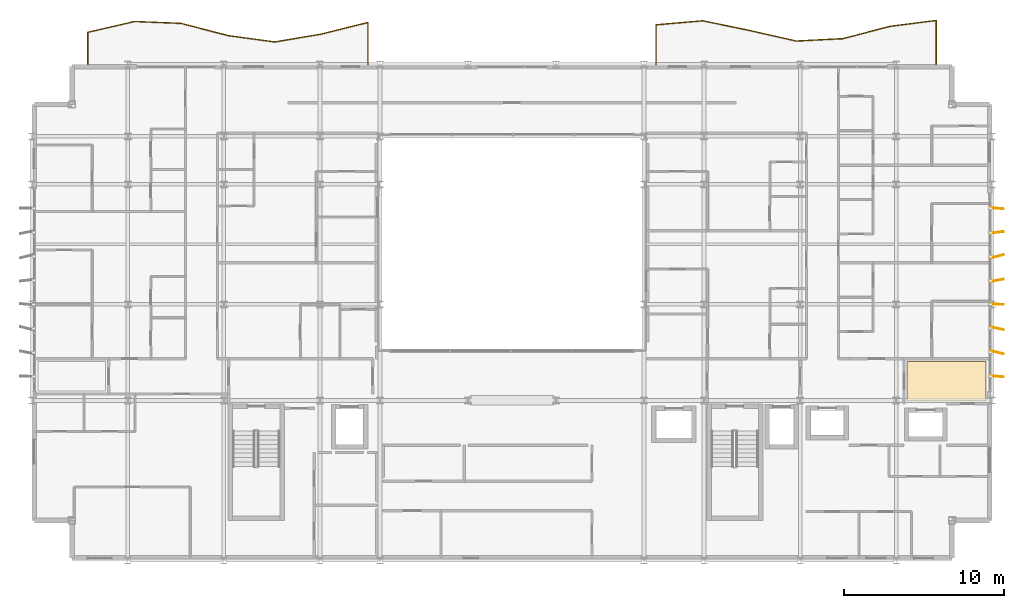
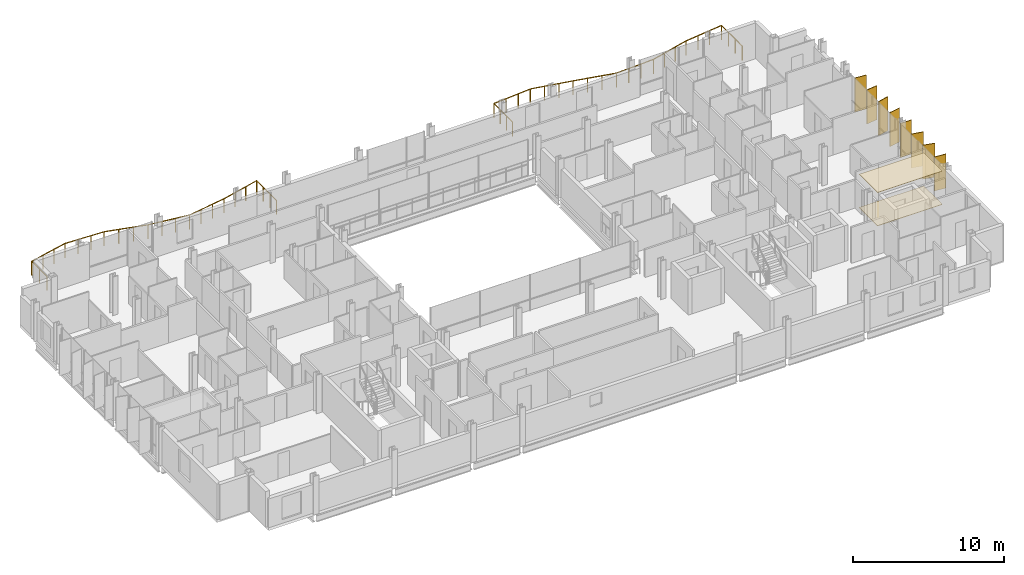
# One storey, part 38 of 38: 8 shading devices, 2 coverings, 2 railings.
"""IFC4 building model written with IfcOpenShell, lengths in metres."""

from ifc_helpers import new_model, si_unit, direction, frame, origin, origin_2d, place, context, subcontext, project, spatial, polyline, rectangle, circle, outline, extrude, material, layer, layer_set, type_object, element, save


model = new_model("IFC4")

# Units and contexts
model_context = context("Model", 3, precision=1e-05, world=origin(), true_north=direction((0.0, 1.0)))
body_context = subcontext(model_context, "Body", "Model", "MODEL_VIEW")
ifc_project = project(units=[si_unit("LENGTHUNIT", "METRE"), si_unit("AREAUNIT", "SQUARE_METRE"), si_unit("VOLUMEUNIT", "CUBIC_METRE"), si_unit("PLANEANGLEUNIT", "RADIAN"), si_unit("MASSUNIT", "GRAM", prefix="KILO")], contexts=[model_context])

# Site, building, storey
site_placement = place(None, origin())
site = spatial("IfcSite", under=ifc_project, at=site_placement, CompositionType="ELEMENT")
building_placement = place(site_placement, origin())
building = spatial("IfcBuilding", under=site, at=building_placement, Name="Brevholm Reach", CompositionType="ELEMENT")
storey_placement = place(building_placement, frame((0.0, 0.0, 122.10009765625)))
storey = spatial("IfcBuildingStorey", under=building, at=storey_placement, Name="L36", CompositionType="ELEMENT", Elevation=122.10009765625)

# Coverings
ifc_material_1 = material(Name="Moisture-Resistant Skimmed Gypsum Plasterboard Ceiling", Category="gypsum")
ifc_layer_1 = layer(ifc_material_1, 0.030029296875)
ifc_layer_set_1 = layer_set([ifc_layer_1], Name="Moisture-Resistant Skimmed Gypsum Plasterboard Ceiling")
covering_type_1 = type_object("IfcCoveringType", Name="COV-CLG-GYP", PredefinedType="CEILING", material=ifc_layer_set_1)
covering_1_placement = place(storey_placement, frame((0.0, 0.0, 2.679931640625)))
element("IfcCovering", 1, at=covering_1_placement, inside=storey, type_object=covering_type_1, Name="L36 Suspended Ceiling L36-33", PredefinedType="CEILING", context=body_context, shape_type="SweptSolid", body=[
    extrude(outline(polyline([(59.6201171875, 12.419921875), (59.6201171875, 10.123779296875), (59.6171875, 10.1162109375), (59.607666015625, 10.077880859375), (59.601806640625, 10.039306640625), (59.60009765625, 10.0), (59.60107421875, 9.97998046875), (54.68408203125, 9.97998046875), (54.68408203125, 12.419921875), (59.6201171875, 12.419921875)])), origin(), (0.0, 0.0, 1.0), 0.030029296875),
])
ifc_material_2 = material(Name="Honed Portland-Aggregate Resin Terrazzo Flooring", Category="concrete")
ifc_layer_2 = layer(ifc_material_2, 0.031982421875)
ifc_layer_set_2 = layer_set([ifc_layer_2], Name="Honed Portland-Aggregate Resin Terrazzo Flooring")
covering_type_2 = type_object("IfcCoveringType", Name="COV-FLR-TRZ", PredefinedType="FLOORING", material=ifc_layer_set_2)
covering_2_placement = place(storey_placement, origin())
element("IfcCovering", 2, at=covering_2_placement, inside=storey, type_object=covering_type_2, Name="L36 Floor Finish L36-33", PredefinedType="FLOORING", context=body_context, shape_type="SweptSolid", body=[
    extrude(outline(polyline([(59.6201171875, 12.419921875), (59.6201171875, 10.123779296875), (59.6171875, 10.1162109375), (59.607666015625, 10.077880859375), (59.601806640625, 10.039306640625), (59.60009765625, 10.0), (59.60107421875, 9.97998046875), (54.68408203125, 9.97998046875), (54.68408203125, 12.419921875), (59.6201171875, 12.419921875)])), origin(), (0.0, 0.0, 1.0), 0.031982421875),
])

# Railings
ifc_material_3 = material(Name="Brushed Stainless Steel EN 1.4401 and Laminated Glass", Category="steel")
railing_type = type_object("IfcRailingType", Name="RAL-BALC-1150", PredefinedType="BALUSTRADE", material=ifc_material_3)
railing_1_placement = place(storey_placement, frame((56.5, 31.0, 0.0)))
element("IfcRailing", 3, at=railing_1_placement, inside=storey, type_object=railing_type, Name="L36 Guard Balustrade RAL-L36-BAL-NE", PredefinedType="BALUSTRADE", context=body_context, shape_type="SweptSolid", body=[
    extrude(circle(Radius=0.02392578125, at=origin_2d()), frame((0.0, 0.0, 1.1259765625), z_axis=(0.0, 1.0, 0.0), x_axis=(-1.0, 0.0, 0.0)), (0.0, 0.0, 1.0), 2.746337890625),
    extrude(circle(Radius=0.02392578125, at=origin_2d()), frame((0.0, 2.746337890625, 1.1259765625), z_axis=(-0.991815212116, -0.12768157665, 0.0), x_axis=(0.12768157665, -0.991815212116, 0.0)), (0.0, 0.0, 1.0), 2.94091796875),
    extrude(circle(Radius=0.02392578125, at=origin_2d()), frame((-2.916748046875, 2.370849609375, 1.1259765625), z_axis=(-0.967306983138, -0.25360836022, 0.0), x_axis=(0.25360836022, -0.967306983138, 0.0)), (0.0, 0.0, 1.0), 3.01513671875),
    extrude(circle(Radius=0.02392578125, at=origin_2d()), frame((-5.833251953125, 1.606201171875, 1.1259765625), z_axis=(-0.998720239463, -0.050575520622, 0.0), x_axis=(0.050575520622, -0.998720239463, 0.0)), (0.0, 0.0, 1.0), 2.92041015625),
    extrude(circle(Radius=0.02392578125, at=origin_2d()), frame((-8.75, 1.45849609375, 1.1259765625), z_axis=(-0.975083925705, 0.221836286102, 0.0), x_axis=(-0.221836286102, -0.975083925705, 0.0)), (0.0, 0.0, 1.0), 2.9912109375),
    extrude(circle(Radius=0.02392578125, at=origin_2d()), frame((-11.666748046875, 2.1220703125, 1.1259765625), z_axis=(-0.979367411888, 0.202087784221, 0.0), x_axis=(-0.202087784221, -0.979367411888, 0.0)), (0.0, 0.0, 1.0), 2.97802734375),
    extrude(circle(Radius=0.02392578125, at=origin_2d()), frame((-14.583251953125, 2.723876953125, 1.1259765625), z_axis=(-0.996282713287, -0.086143805376, 0.0), x_axis=(0.086143805376, -0.996282713287, 0.0)), (0.0, 0.0, 1.0), 2.927734375),
    extrude(circle(Radius=0.02392578125, at=origin_2d()), frame((-17.5, 2.4716796875, 1.1259765625), z_axis=(0.0, -1.0, 0.0), x_axis=(1.0, 0.0, 0.0)), (0.0, 0.0, 1.0), 2.4716796875),
    extrude(circle(Radius=0.02099609375, at=origin_2d()), origin(), (0.0, 0.0, 1.0), 1.101806640625),
    extrude(circle(Radius=0.02099609375, at=origin_2d()), frame((0.0, 0.91552734375, 0.0)), (0.0, 0.0, 1.0), 1.101806640625),
    extrude(circle(Radius=0.02099609375, at=origin_2d()), frame((0.0, 1.830810546875, 0.0)), (0.0, 0.0, 1.0), 1.101806640625),
    extrude(circle(Radius=0.02099609375, at=origin_2d()), frame((0.0, 2.746337890625, 0.0)), (0.0, 0.0, 1.0), 1.101806640625),
    extrude(circle(Radius=0.02099609375, at=origin_2d()), frame((-0.97216796875, 2.62109375, 0.0)), (0.0, 0.0, 1.0), 1.101806640625),
    extrude(circle(Radius=0.02099609375, at=origin_2d()), frame((-1.944580078125, 2.49609375, 0.0)), (0.0, 0.0, 1.0), 1.101806640625),
    extrude(circle(Radius=0.02099609375, at=origin_2d()), frame((-2.916748046875, 2.370849609375, 0.0)), (0.0, 0.0, 1.0), 1.101806640625),
    extrude(circle(Radius=0.02099609375, at=origin_2d()), frame((-3.888916015625, 2.115966796875, 0.0)), (0.0, 0.0, 1.0), 1.101806640625),
    extrude(circle(Radius=0.02099609375, at=origin_2d()), frame((-4.861083984375, 1.861083984375, 0.0)), (0.0, 0.0, 1.0), 1.101806640625),
    extrude(circle(Radius=0.02099609375, at=origin_2d()), frame((-5.833251953125, 1.606201171875, 0.0)), (0.0, 0.0, 1.0), 1.101806640625),
    extrude(circle(Radius=0.02099609375, at=origin_2d()), frame((-6.805419921875, 1.556884765625, 0.0)), (0.0, 0.0, 1.0), 1.101806640625),
    extrude(circle(Radius=0.02099609375, at=origin_2d()), frame((-7.77783203125, 1.5078125, 0.0)), (0.0, 0.0, 1.0), 1.101806640625),
    extrude(circle(Radius=0.02099609375, at=origin_2d()), frame((-8.75, 1.45849609375, 0.0)), (0.0, 0.0, 1.0), 1.101806640625),
    extrude(circle(Radius=0.02099609375, at=origin_2d()), frame((-9.72216796875, 1.6796875, 0.0)), (0.0, 0.0, 1.0), 1.101806640625),
    extrude(circle(Radius=0.02099609375, at=origin_2d()), frame((-10.694580078125, 1.90087890625, 0.0)), (0.0, 0.0, 1.0), 1.101806640625),
    extrude(circle(Radius=0.02099609375, at=origin_2d()), frame((-11.666748046875, 2.1220703125, 0.0)), (0.0, 0.0, 1.0), 1.101806640625),
    extrude(circle(Radius=0.02099609375, at=origin_2d()), frame((-12.638916015625, 2.32275390625, 0.0)), (0.0, 0.0, 1.0), 1.101806640625),
    extrude(circle(Radius=0.02099609375, at=origin_2d()), frame((-13.611083984375, 2.523193359375, 0.0)), (0.0, 0.0, 1.0), 1.101806640625),
    extrude(circle(Radius=0.02099609375, at=origin_2d()), frame((-14.583251953125, 2.723876953125, 0.0)), (0.0, 0.0, 1.0), 1.101806640625),
    extrude(circle(Radius=0.02099609375, at=origin_2d()), frame((-15.555419921875, 2.639892578125, 0.0)), (0.0, 0.0, 1.0), 1.101806640625),
    extrude(circle(Radius=0.02099609375, at=origin_2d()), frame((-16.52783203125, 2.5556640625, 0.0)), (0.0, 0.0, 1.0), 1.101806640625),
    extrude(circle(Radius=0.02099609375, at=origin_2d()), frame((-17.5, 2.4716796875, 0.0)), (0.0, 0.0, 1.0), 1.101806640625),
    extrude(circle(Radius=0.02099609375, at=origin_2d()), frame((-17.5, 1.647705078125, 0.0)), (0.0, 0.0, 1.0), 1.101806640625),
    extrude(circle(Radius=0.02099609375, at=origin_2d()), frame((-17.5, 0.823974609375, 0.0)), (0.0, 0.0, 1.0), 1.101806640625),
    extrude(circle(Radius=0.02099609375, at=origin_2d()), frame((-17.5, 0.0, 0.0)), (0.0, 0.0, 1.0), 1.101806640625),
])
railing_2_placement = place(storey_placement, frame((21.0, 31.0, 0.0)))
element("IfcRailing", 4, at=railing_2_placement, inside=storey, type_object=railing_type, Name="L36 Guard Balustrade RAL-L36-BAL-NW", PredefinedType="BALUSTRADE", context=body_context, shape_type="SweptSolid", body=[
    extrude(circle(Radius=0.02392578125, at=origin_2d()), frame((0.0, 0.0, 1.1259765625), z_axis=(0.0, 1.0, 0.0), x_axis=(-1.0, 0.0, 0.0)), (0.0, 0.0, 1.0), 2.62109375),
    extrude(circle(Radius=0.02392578125, at=origin_2d()), frame((0.0, 2.62109375, 1.1259765625), z_axis=(-0.969908046993, -0.243471518618, 0.0), x_axis=(0.243471518618, -0.969908046993, 0.0)), (0.0, 0.0, 1.0), 3.00732421875),
    extrude(circle(Radius=0.02392578125, at=origin_2d()), frame((-2.916748046875, 1.888916015625, 1.1259765625), z_axis=(-0.986326897089, -0.164800643445, 0.0), x_axis=(0.164800643445, -0.986326897089, 0.0)), (0.0, 0.0, 1.0), 2.95703125),
    extrude(circle(Radius=0.02392578125, at=origin_2d()), frame((-5.833251953125, 1.401611328125, 1.1259765625), z_axis=(-0.990776091279, 0.135509176626, 0.0), x_axis=(-0.135509176626, -0.990776091279, 0.0)), (0.0, 0.0, 1.0), 2.94384765625),
    extrude(circle(Radius=0.02392578125, at=origin_2d()), frame((-8.75, 1.800537109375, 1.1259765625), z_axis=(-0.967688627029, 0.252148212601, 0.0), x_axis=(-0.252148212601, -0.967688627029, 0.0)), (0.0, 0.0, 1.0), 3.01416015625),
    extrude(circle(Radius=0.02392578125, at=origin_2d()), frame((-11.666748046875, 2.560546875, 1.1259765625), z_axis=(-0.999139150441, 0.041484431493, 0.0), x_axis=(-0.041484431493, -0.999139150441, 0.0)), (0.0, 0.0, 1.0), 2.9189453125),
    extrude(circle(Radius=0.02392578125, at=origin_2d()), frame((-14.583251953125, 2.681640625, 1.1259765625), z_axis=(-0.974086615793, -0.226175296912, 0.0), x_axis=(0.226175296912, -0.974086615793, 0.0)), (0.0, 0.0, 1.0), 2.994384765625),
    extrude(circle(Radius=0.02392578125, at=origin_2d()), frame((-17.5, 2.00439453125, 1.1259765625), z_axis=(0.0, -1.0, 0.0), x_axis=(1.0, 0.0, 0.0)), (0.0, 0.0, 1.0), 2.00439453125),
    extrude(circle(Radius=0.02099609375, at=origin_2d()), origin(), (0.0, 0.0, 1.0), 1.101806640625),
    extrude(circle(Radius=0.02099609375, at=origin_2d()), frame((0.0, 0.873779296875, 0.0)), (0.0, 0.0, 1.0), 1.101806640625),
    extrude(circle(Radius=0.02099609375, at=origin_2d()), frame((0.0, 1.747314453125, 0.0)), (0.0, 0.0, 1.0), 1.101806640625),
    extrude(circle(Radius=0.02099609375, at=origin_2d()), frame((0.0, 2.62109375, 0.0)), (0.0, 0.0, 1.0), 1.101806640625),
    extrude(circle(Radius=0.02099609375, at=origin_2d()), frame((-0.97216796875, 2.376953125, 0.0)), (0.0, 0.0, 1.0), 1.101806640625),
    extrude(circle(Radius=0.02099609375, at=origin_2d()), frame((-1.944580078125, 2.133056640625, 0.0)), (0.0, 0.0, 1.0), 1.101806640625),
    extrude(circle(Radius=0.02099609375, at=origin_2d()), frame((-2.916748046875, 1.888916015625, 0.0)), (0.0, 0.0, 1.0), 1.101806640625),
    extrude(circle(Radius=0.02099609375, at=origin_2d()), frame((-3.888916015625, 1.7265625, 0.0)), (0.0, 0.0, 1.0), 1.101806640625),
    extrude(circle(Radius=0.02099609375, at=origin_2d()), frame((-4.861083984375, 1.56396484375, 0.0)), (0.0, 0.0, 1.0), 1.101806640625),
    extrude(circle(Radius=0.02099609375, at=origin_2d()), frame((-5.833251953125, 1.401611328125, 0.0)), (0.0, 0.0, 1.0), 1.101806640625),
    extrude(circle(Radius=0.02099609375, at=origin_2d()), frame((-6.805419921875, 1.53466796875, 0.0)), (0.0, 0.0, 1.0), 1.101806640625),
    extrude(circle(Radius=0.02099609375, at=origin_2d()), frame((-7.77783203125, 1.66748046875, 0.0)), (0.0, 0.0, 1.0), 1.101806640625),
    extrude(circle(Radius=0.02099609375, at=origin_2d()), frame((-8.75, 1.800537109375, 0.0)), (0.0, 0.0, 1.0), 1.101806640625),
    extrude(circle(Radius=0.02099609375, at=origin_2d()), frame((-9.72216796875, 2.053955078125, 0.0)), (0.0, 0.0, 1.0), 1.101806640625),
    extrude(circle(Radius=0.02099609375, at=origin_2d()), frame((-10.694580078125, 2.30712890625, 0.0)), (0.0, 0.0, 1.0), 1.101806640625),
    extrude(circle(Radius=0.02099609375, at=origin_2d()), frame((-11.666748046875, 2.560546875, 0.0)), (0.0, 0.0, 1.0), 1.101806640625),
    extrude(circle(Radius=0.02099609375, at=origin_2d()), frame((-12.638916015625, 2.600830078125, 0.0)), (0.0, 0.0, 1.0), 1.101806640625),
    extrude(circle(Radius=0.02099609375, at=origin_2d()), frame((-13.611083984375, 2.641357421875, 0.0)), (0.0, 0.0, 1.0), 1.101806640625),
    extrude(circle(Radius=0.02099609375, at=origin_2d()), frame((-14.583251953125, 2.681640625, 0.0)), (0.0, 0.0, 1.0), 1.101806640625),
    extrude(circle(Radius=0.02099609375, at=origin_2d()), frame((-15.555419921875, 2.455810546875, 0.0)), (0.0, 0.0, 1.0), 1.101806640625),
    extrude(circle(Radius=0.02099609375, at=origin_2d()), frame((-16.52783203125, 2.230224609375, 0.0)), (0.0, 0.0, 1.0), 1.101806640625),
    extrude(circle(Radius=0.02099609375, at=origin_2d()), frame((-17.5, 2.00439453125, 0.0)), (0.0, 0.0, 1.0), 1.101806640625),
    extrude(circle(Radius=0.02099609375, at=origin_2d()), frame((-17.5, 1.002197265625, 0.0)), (0.0, 0.0, 1.0), 1.101806640625),
    extrude(circle(Radius=0.02099609375, at=origin_2d()), frame((-17.5, 0.0, 0.0)), (0.0, 0.0, 1.0), 1.101806640625),
])

# Shading devices
ifc_material_4 = material(Name="Perforated Champagne-Bronze Anodised Aluminium", Category="aluminium")
ifc_layer_3 = layer(ifc_material_4, 0.054931640625)
ifc_layer_set_3 = layer_set([ifc_layer_3], Name="Perforated Champagne-Bronze Anodised Aluminium")
shading_device_type = type_object("IfcShadingDeviceType", Name="SHD-FIN-850", PredefinedType="USERDEFINED", material=ifc_layer_set_3)
for number, where, z_axis, x_axis, name in (
    (5, (60.31494140625, 11.5, 0.06982421875), (0.0, 0.0, 1.0), (0.995820882453, -0.091327816524, 0.0), "L36 Perforated Solar Screen Fin 1"),
    (6, (60.31494140625, 13.0, 0.06982421875), (0.0, 0.0, 1.0), (0.972707074404, -0.232036521702, 0.0), "L36 Perforated Solar Screen Fin 2"),
    (7, (60.31494140625, 14.5, 0.06982421875), (0.0, 0.0, 1.0), (0.979956009173, -0.199214005746, 0.0), "L36 Perforated Solar Screen Fin 3"),
    (8, (60.31494140625, 16.0, 0.06982421875), (0.0, 0.0, 1.0), (0.999873320819, -0.015916730638, 0.0), "L36 Perforated Solar Screen Fin 4"),
    (9, (60.31494140625, 17.5, 0.06982421875), (0.0, 0.0, 1.0), (0.983716083866, 0.179729425369, 0.0), "L36 Perforated Solar Screen Fin 5"),
    (10, (60.31494140625, 19.0, 0.06982421875), (0.0, 0.0, 1.0), (0.9710384482, 0.238923276634, 0.0), "L36 Perforated Solar Screen Fin 6"),
    (11, (60.31494140625, 20.5, 0.06982421875), (0.0, 0.0, 1.0), (0.992792943548, 0.119842276518, 0.0), "L36 Perforated Solar Screen Fin 7"),
    (12, (60.31494140625, 22.0, 0.06982421875), (0.0, 0.0, 1.0), (0.995820882453, -0.091327816524, 0.0), "L36 Perforated Solar Screen Fin 8"),
):
    element("IfcShadingDevice", number, at=place(storey_placement, frame(where, z_axis=z_axis, x_axis=x_axis)), inside=storey, type_object=shading_device_type, Name=name, ObjectType="SCREEN", PredefinedType="USERDEFINED", context=body_context, shape_type="SweptSolid", body=[
        extrude(rectangle(XDim=0.85009765625, YDim=0.054931640625, at=origin_2d()), origin(), (0.0, 0.0, 1.0), 2.739990234375),
    ])

save(model, "model.ifc")
